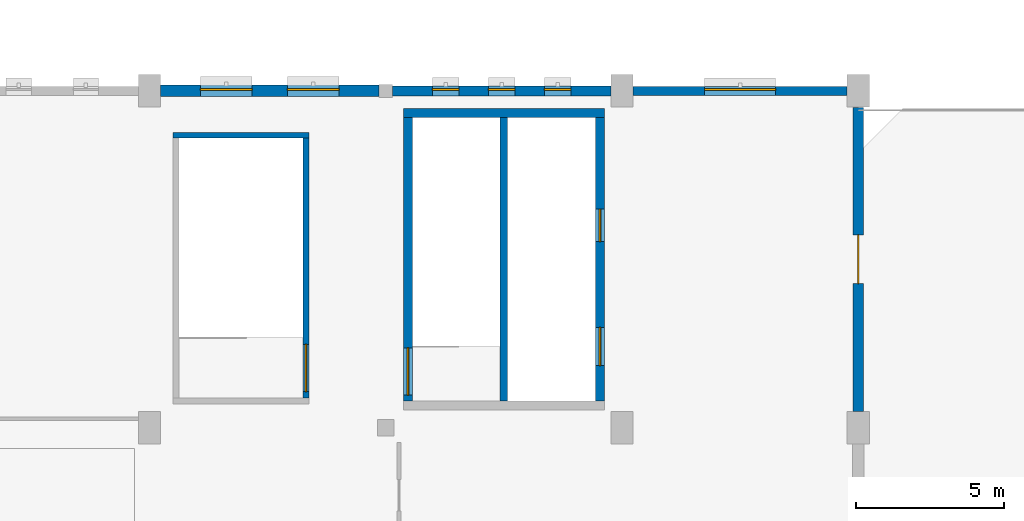
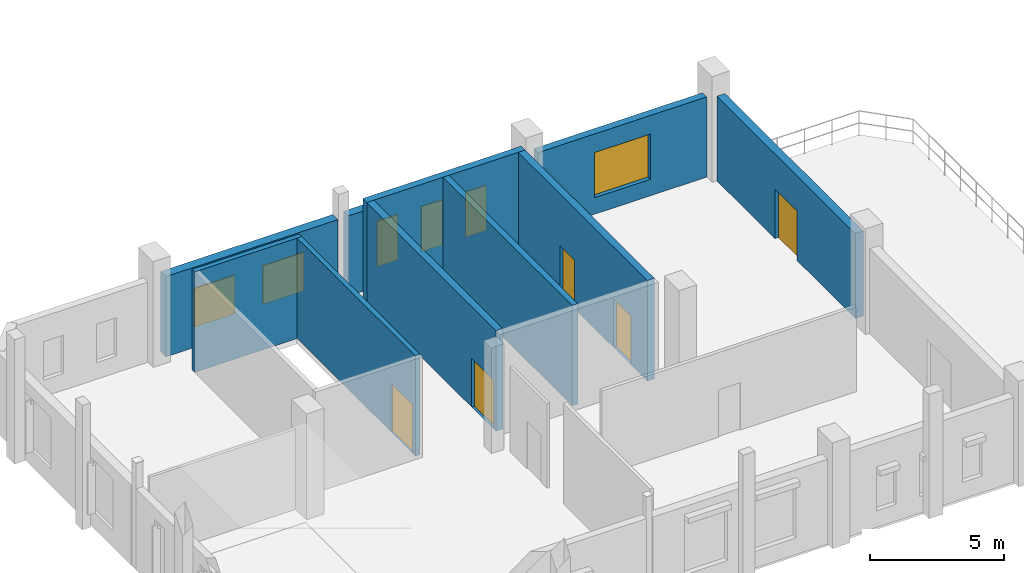
# One storey, part 24 of 28: 10 walls, 6 windows, 5 doors, 11 openings.
"""IFC4 building model written with IfcOpenShell, lengths in metres."""

import ifcopenshell
import ifcopenshell.guid

model = None  # the IFC model being written
_history = None  # IfcOwnerHistory: only IFC2X3 demands one
_inside = {}  # id of a spatial element -> (the spatial element, [elements in it])
_under = {}  # id of a project, library or spatial element -> (it, [spatial elements below it])
_declared = {}  # id of a project -> (the project, [libraries it declares])
_typed = {}  # id of a type object -> (the type object, [elements of that type])
_made_of = {}  # id of a material, layer set ... -> (it, [elements and type objects made of it])


def new_model(schema):
    """Start an empty IFC model of exactly this schema.

    Asked for "IFC4X3", IfcOpenShell would pick the latest addendum, in which some entities
    have other attributes; the version numbers below select the first issue.
    IFC2X3 requires an IfcOwnerHistory on every rooted entity: one is made here for all.
    """
    global model, _history
    if schema == "IFC4X3":
        model = ifcopenshell.file(schema_version=(4, 3, 0, 0))
    else:
        model = ifcopenshell.file(schema=schema)
    _inside.clear()
    _under.clear()
    _declared.clear()
    _typed.clear()
    _made_of.clear()
    _history = None
    if model.schema == "IFC2X3":
        org = make("IfcOrganization", Name="unknown")
        user = make(
            "IfcPersonAndOrganization",
            ThePerson=make("IfcPerson", FamilyName="unknown"),
            TheOrganization=org,
        )
        app = make(
            "IfcApplication",
            ApplicationDeveloper=org,
            Version="unknown",
            ApplicationFullName="unknown",
            ApplicationIdentifier="unknown",
        )
        _history = make(
            "IfcOwnerHistory",
            OwningUser=user,
            OwningApplication=app,
            ChangeAction="ADDED",
            CreationDate=0,
        )
    return model


def make(cls, **values):
    """One entity of the class cls with the attributes given. An attribute that is None is left unset."""
    return model.create_entity(
        cls, **{name: value for name, value in values.items() if value is not None}
    )


def rooted(cls, **values):
    """An entity with a GlobalId (a new one), such as an element, a storey or a relation."""
    return make(cls, GlobalId=ifcopenshell.guid.new(), OwnerHistory=_history, **values)


def si_unit(unit_type, name, prefix=None):
    """IfcSIUnit, for example si_unit("LENGTHUNIT", "METRE", prefix="MILLI")."""
    return make("IfcSIUnit", UnitType=unit_type, Prefix=prefix, Name=name)


def assignment(units):
    """IfcUnitAssignment: the units of a project."""
    return None if units is None else make("IfcUnitAssignment", Units=units)


def point(xyz):
    """IfcCartesianPoint."""
    return None if xyz is None else make("IfcCartesianPoint", Coordinates=xyz)


def direction(xyz):
    """IfcDirection."""
    return None if xyz is None else make("IfcDirection", DirectionRatios=xyz)


def frame(location, z_axis=None, x_axis=None):
    """IfcAxis2Placement3D, a coordinate frame: its origin and axes. An axis left out is left unset."""
    return make(
        "IfcAxis2Placement3D",
        Location=point(location),
        Axis=direction(z_axis),
        RefDirection=direction(x_axis),
    )


def frame_2d(location, x_axis=None):
    """IfcAxis2Placement2D, a coordinate frame in the plane: its origin and x axis."""
    return make(
        "IfcAxis2Placement2D", Location=point(location), RefDirection=direction(x_axis)
    )


def origin():
    """The frame at (0, 0, 0) with its axes left unset."""
    return frame((0.0, 0.0, 0.0))


def place(relative_to, where):
    """IfcLocalPlacement: puts the frame where relative to a parent placement (None: the world)."""
    return make(
        "IfcLocalPlacement", PlacementRelTo=relative_to, RelativePlacement=where
    )


def context(
    kind, dimensions, precision=None, world=None, true_north=None, identifier=None
):
    """IfcGeometricRepresentationContext, for example the 3D "Model" context."""
    return make(
        "IfcGeometricRepresentationContext",
        ContextIdentifier=identifier,
        ContextType=kind,
        CoordinateSpaceDimension=dimensions,
        Precision=precision,
        WorldCoordinateSystem=world,
        TrueNorth=true_north,
    )


def subcontext(parent, identifier, kind, view, scale=None):
    """IfcGeometricRepresentationSubContext, for example "Body" below "Model"."""
    return make(
        "IfcGeometricRepresentationSubContext",
        ContextIdentifier=identifier,
        ContextType=kind,
        ParentContext=parent,
        TargetScale=scale,
        TargetView=view,
    )


def project(units=None, contexts=None):
    """IfcProject with its units and contexts."""
    return rooted(
        "IfcProject",
        Name="project",
        RepresentationContexts=contexts,
        UnitsInContext=assignment(units),
    )


def spatial(cls, under=None, at=None, **own):
    """A site, building, storey or space (cls), placed at a placement, below another one or the project."""
    s = rooted(cls, ObjectPlacement=at, **own)
    if under is not None:
        _under.setdefault(under.id(), (under, []))[1].append(s)
    return s


def profile(cls, at=None, kind="AREA", **sizes):
    """A parametric profile (cls). Its sizes go by their IFC names, for example OverallWidth=200.0."""
    return make(cls, ProfileType=kind, Position=at, **sizes)


def rectangle(**sizes):
    """IfcRectangleProfileDef."""
    return profile("IfcRectangleProfileDef", **sizes)


def extrude(swept, where, along, depth):
    """IfcExtrudedAreaSolid: the profile swept, set in the frame where, extruded along a direction by depth."""
    return make(
        "IfcExtrudedAreaSolid",
        SweptArea=swept,
        Position=where,
        ExtrudedDirection=direction(along),
        Depth=depth,
    )


def shape(context_of_items, identifier, shape_type, items):
    """IfcShapeRepresentation: the items that make up one representation, for example the "Body"."""
    return make(
        "IfcShapeRepresentation",
        ContextOfItems=context_of_items,
        RepresentationIdentifier=identifier,
        RepresentationType=shape_type,
        Items=items,
    )


def material(Name=None, Category=None):
    """IfcMaterial."""
    return make("IfcMaterial", Name=Name, Category=Category)


def layer(
    of_material, thickness, ventilated=None, Name=None, Category=None, Priority=None
):
    """IfcMaterialLayer: one layer of a wall or slab, of a material (None: an air gap)."""
    return make(
        "IfcMaterialLayer",
        Material=of_material,
        LayerThickness=thickness,
        IsVentilated=ventilated,
        Name=Name,
        Category=Category,
        Priority=Priority,
    )


def layer_set(layers, Name=None):
    """IfcMaterialLayerSet."""
    return make("IfcMaterialLayerSet", MaterialLayers=layers, LayerSetName=Name)


def made_of(thing, what):
    """Note that an element or type object is made of a material, layer set ...; save() writes the relation."""
    if what is not None:
        _made_of.setdefault(what.id(), (what, []))[1].append(thing)
    return thing


def type_object(cls, material=None, **own):
    """A type object (cls), such as IfcWallType, which elements share."""
    return made_of(rooted(cls, **own), material)


def element(
    cls,
    number,
    at=None,
    inside=None,
    cuts=None,
    type_object=None,
    material=None,
    context=None,
    identifier="Body",
    shape_type=None,
    held_by="IfcProductDefinitionShape",
    body=None,
    shapes=None,
    **own,
):
    """One element of the class cls, such as IfcWall. Its Tag is "e" and its number.

    at: its placement. inside: the storey or other place that contains it. cuts: it is an
    opening in that element (IfcRelVoidsElement). A single representation is given by context,
    identifier, shape_type and body (its items); several are given by shapes. held_by: the class
    of the entity that holds the representations. save() writes the other relations.
    """
    e = rooted(cls, Tag="e%d" % number, ObjectPlacement=at, **own)
    if body is not None:
        shapes = [shape(context, identifier, shape_type, body)]
    if shapes is not None:
        e.Representation = make(held_by, Representations=shapes)
    if inside is not None:
        _inside.setdefault(inside.id(), (inside, []))[1].append(e)
    if cuts is not None:
        rooted(
            "IfcRelVoidsElement", RelatingBuildingElement=cuts, RelatedOpeningElement=e
        )
    if type_object is not None:
        _typed.setdefault(type_object.id(), (type_object, []))[1].append(e)
    return made_of(e, material)


def fill(opening, filler):
    """IfcRelFillsElement: the door or window that sits in an opening."""
    return rooted(
        "IfcRelFillsElement",
        RelatingOpeningElement=opening,
        RelatedBuildingElement=filler,
    )


def aggregate(whole, parts):
    """IfcRelAggregates: a whole, such as a stair, and the parts it consists of."""
    return rooted("IfcRelAggregates", RelatingObject=whole, RelatedObjects=parts)


def save(model, path):
    """Write the relations noted so far, then the file.

    IfcRelAggregates (storeys below a building ...), IfcRelContainedInSpatialStructure (elements
    in a storey), IfcRelDefinesByType, IfcRelAssociatesMaterial and IfcRelDeclares: one each for
    every whole, place, type object, material and project.
    """
    for whole, parts in _under.values():
        aggregate(whole, parts)
    for where, things in _inside.values():
        rooted(
            "IfcRelContainedInSpatialStructure",
            RelatedElements=things,
            RelatingStructure=where,
        )
    for kind, things in _typed.values():
        rooted("IfcRelDefinesByType", RelatedObjects=things, RelatingType=kind)
    for what, things in _made_of.values():
        rooted("IfcRelAssociatesMaterial", RelatedObjects=things, RelatingMaterial=what)
    for by, libraries in _declared.values():
        rooted("IfcRelDeclares", RelatingContext=by, RelatedDefinitions=libraries)
    model.write(path)


model = new_model("IFC4")

# Units and contexts
model_context = context("Model", 3, precision=1e-05, world=origin(), true_north=direction((0.0, 1.0)))
body_context = subcontext(model_context, "Body", "Model", "MODEL_VIEW")
ifc_project = project(units=[si_unit("LENGTHUNIT", "METRE"), si_unit("AREAUNIT", "SQUARE_METRE"), si_unit("VOLUMEUNIT", "CUBIC_METRE"), si_unit("PLANEANGLEUNIT", "RADIAN"), si_unit("MASSUNIT", "GRAM", prefix="KILO"), si_unit("POWERUNIT", "WATT"), si_unit("THERMODYNAMICTEMPERATUREUNIT", "KELVIN")], contexts=[model_context])

# Site, building, storey
site_placement = place(None, origin())
site = spatial("IfcSite", under=ifc_project, at=site_placement, CompositionType="ELEMENT")
building_placement = place(site_placement, origin())
building = spatial("IfcBuilding", under=site, at=building_placement, Name="Kelmbourne Parkland Aquatics Centre", CompositionType="ELEMENT")
storey_placement = place(building_placement, frame((0.0, 0.0, 19.199951171875)))
storey = spatial("IfcBuildingStorey", under=building, at=storey_placement, Name="L04", CompositionType="ELEMENT", Elevation=19.199951171875)

# Walls
ifc_material_1 = material(Name="Concrete C40/50", Category="concrete")
ifc_layer_1 = layer(ifc_material_1, 0.25)
ifc_layer_set_1 = layer_set([ifc_layer_1], Name="Concrete C40/50")
wall_type_1 = type_object("IfcWallType", Name="W-CORE-250", PredefinedType="SHEAR", material=ifc_layer_set_1)
wall_1_placement = place(storey_placement, frame((20.0, 13.10009765625, 0.0), z_axis=(0.0, 0.0, 1.0), x_axis=(0.0, 1.0, 0.0)))
element("IfcWall", 1, at=wall_1_placement, inside=storey, type_object=wall_type_1, Name="West Wing South Fire-Fighting Core divider wall (L04)", PredefinedType="SHEAR", context=body_context, shape_type="SweptSolid", body=[
    extrude(rectangle(XDim=9.599853515625, YDim=0.25, at=frame_2d((4.7998046875, 0.0))), origin(), (0.0, 0.0, 1.0), 4.56005859375),
])
ifc_layer_2 = layer(ifc_material_1, 0.300048828125)
ifc_layer_set_2 = layer_set([ifc_layer_2], Name="Concrete C40/50")
wall_type_2 = type_object("IfcWallType", Name="W-CORE-300", PredefinedType="SHEAR", material=ifc_layer_set_2)
wall_2_placement = place(storey_placement, frame((16.60009765625, 22.85009765625, 0.0), z_axis=(0.0, 0.0, 1.0), x_axis=(1.0, 0.0, 0.0)))
element("IfcWall", 2, at=wall_2_placement, inside=storey, type_object=wall_type_2, Name="West Wing South Fire-Fighting Core north wall (L04)", PredefinedType="SHEAR", context=body_context, shape_type="SweptSolid", body=[
    extrude(rectangle(XDim=6.7998046875, YDim=0.300048828125, at=frame_2d((3.39990234375, 0.0))), origin(), (0.0, 0.0, 1.0), 4.56005859375),
])

# Wall, opening, door
wall_3_placement = place(storey_placement, frame((16.75, 13.10009765625, 0.0), z_axis=(0.0, 0.0, 1.0), x_axis=(0.0, 1.0, 0.0)))
wall_3 = element("IfcWall", 3, at=wall_3_placement, inside=storey, type_object=wall_type_2, Name="West Wing South Fire-Fighting Core west wall (L04)", PredefinedType="SHEAR", context=body_context, shape_type="SweptSolid", body=[
    extrude(rectangle(XDim=9.599853515625, YDim=0.300048828125, at=frame_2d((4.7998046875, 0.0))), origin(), (0.0, 0.0, 1.0), 4.56005859375),
])
opening_1_placement = place(wall_3_placement, frame((0.199951171875, 0.0, 0.0)))
opening_1 = element("IfcOpeningElement", 4, at=opening_1_placement, cuts=wall_3, Name="Opening FD02", PredefinedType="OPENING", context=body_context, shape_type="SweptSolid", body=[
    extrude(rectangle(XDim=1.60009765625, YDim=2.199951171875, at=frame_2d((0.800048828125, 1.10009765625))), frame((0.0, 0.162109375, 0.0), z_axis=(0.0, -1.0, 0.0), x_axis=(1.0, 0.0, 0.0)), (0.0, 0.0, 1.0), 0.323974609375),
])
ifc_material_2 = material(Name="Marine-grade stainless steel and fire-rated hardwood doorset", Category="steel")
ifc_layer_3 = layer(ifc_material_2, 0.050048828125)
ifc_layer_set_3 = layer_set([ifc_layer_3], Name="Marine-grade stainless steel and fire-rated hardwood doorset")
door_type_1 = type_object("IfcDoorType", Name="DR-FD-160", OperationType="NOTDEFINED", PredefinedType="DOOR", material=ifc_layer_set_3)
door_1_placement = place(opening_1_placement, origin())
door_1 = element("IfcDoor", 5, at=door_1_placement, inside=storey, type_object=door_type_1, Name="Fire stair door ST01 (L04)", OperationType="DOUBLE_DOOR_SINGLE_SWING", OverallHeight=2.199951171875, OverallWidth=1.60009765625, PredefinedType="DOOR", context=body_context, shape_type="SweptSolid", body=[
    extrude(rectangle(XDim=1.60009765625, YDim=2.199951171875, at=frame_2d((0.800048828125, 1.10009765625))), frame((0.0, 0.02490234375, 0.0), z_axis=(0.0, -1.0, 0.0), x_axis=(1.0, 0.0, 0.0)), (0.0, 0.0, 1.0), 0.050048828125),
])
fill(opening_1, door_1)

# Wall, openings, doors
wall_4_placement = place(storey_placement, frame((23.25, 13.10009765625, 0.0), z_axis=(0.0, 0.0, 1.0), x_axis=(0.0, 1.0, 0.0)))
wall_4 = element("IfcWall", 6, at=wall_4_placement, inside=storey, type_object=wall_type_2, Name="West Wing South Fire-Fighting Core east wall (L04)", PredefinedType="SHEAR", context=body_context, shape_type="SweptSolid", body=[
    extrude(rectangle(XDim=9.599853515625, YDim=0.300048828125, at=frame_2d((4.7998046875, 0.0))), origin(), (0.0, 0.0, 1.0), 4.56005859375),
])
opening_2_placement = place(wall_4_placement, frame((1.199951171875, 0.0, 0.0)))
opening_2 = element("IfcOpeningElement", 7, at=opening_2_placement, cuts=wall_4, Name="Opening LD02", PredefinedType="OPENING", context=body_context, shape_type="SweptSolid", body=[
    extrude(rectangle(XDim=1.300048828125, YDim=2.199951171875, at=frame_2d((0.64990234375, 1.10009765625))), frame((0.0, 0.162109375, 0.0), z_axis=(0.0, -1.0, 0.0), x_axis=(1.0, 0.0, 0.0)), (0.0, 0.0, 1.0), 0.323974609375),
])
opening_3_placement = place(wall_4_placement, frame((5.39990234375, 0.0, 0.0)))
opening_3 = element("IfcOpeningElement", 8, at=opening_3_placement, cuts=wall_4, Name="Opening LD01", PredefinedType="OPENING", context=body_context, shape_type="SweptSolid", body=[
    extrude(rectangle(XDim=1.10009765625, YDim=2.199951171875, at=frame_2d((0.550048828125, 1.10009765625))), frame((0.0, 0.162109375, 0.0), z_axis=(0.0, -1.0, 0.0), x_axis=(1.0, 0.0, 0.0)), (0.0, 0.0, 1.0), 0.323974609375),
])
ifc_layer_4 = layer(ifc_material_2, 0.050048828125)
ifc_layer_set_4 = layer_set([ifc_layer_4], Name="Marine-grade stainless steel and fire-rated hardwood doorset")
door_type_2 = type_object("IfcDoorType", Name="DR-LD-110", OperationType="NOTDEFINED", PredefinedType="DOOR", material=ifc_layer_set_4)
door_2_placement = place(opening_3_placement, origin())
door_2 = element("IfcDoor", 9, at=door_2_placement, inside=storey, type_object=door_type_2, Name="Lift landing sliding door LF02 (L04)", OperationType="SLIDING_TO_RIGHT", OverallHeight=2.199951171875, OverallWidth=1.10009765625, PredefinedType="DOOR", context=body_context, shape_type="SweptSolid", body=[
    extrude(rectangle(XDim=1.10009765625, YDim=2.199951171875, at=frame_2d((0.550048828125, 1.10009765625))), frame((0.0, 0.02490234375, 0.0), z_axis=(0.0, -1.0, 0.0), x_axis=(1.0, 0.0, 0.0)), (0.0, 0.0, 1.0), 0.050048828125),
])
fill(opening_3, door_2)
ifc_layer_5 = layer(ifc_material_2, 0.050048828125)
ifc_layer_set_5 = layer_set([ifc_layer_5], Name="Marine-grade stainless steel and fire-rated hardwood doorset")
door_type_3 = type_object("IfcDoorType", Name="DR-LD-130", OperationType="NOTDEFINED", PredefinedType="DOOR", material=ifc_layer_set_5)
door_3_placement = place(opening_2_placement, origin())
door_3 = element("IfcDoor", 10, at=door_3_placement, inside=storey, type_object=door_type_3, Name="Lift landing sliding door LF01 (L04)", OperationType="SLIDING_TO_LEFT", OverallHeight=2.199951171875, OverallWidth=1.300048828125, PredefinedType="DOOR", context=body_context, shape_type="SweptSolid", body=[
    extrude(rectangle(XDim=1.300048828125, YDim=2.199951171875, at=frame_2d((0.64990234375, 1.10009765625))), frame((0.0, 0.02490234375, 0.0), z_axis=(0.0, -1.0, 0.0), x_axis=(1.0, 0.0, 0.0)), (0.0, 0.0, 1.0), 0.050048828125),
])
fill(opening_2, door_3)

# Wall, opening, window
ifc_material_3 = material(Name="Russet clinker clay brickwork", Category="masonry")
ifc_layer_6 = layer(ifc_material_3, 0.31005859375)
ifc_layer_set_6 = layer_set([ifc_layer_6], Name="Russet clinker clay brickwork")
wall_type_3 = type_object("IfcWallType", Name="W-EXT-310", PredefinedType="STANDARD", material=ifc_layer_set_6)
wall_5_placement = place(storey_placement, frame((24.376953125, 23.60009765625, 0.0), z_axis=(0.0, 0.0, 1.0), x_axis=(1.0, 0.0, 0.0)))
wall_5 = element("IfcWall", 11, at=wall_5_placement, inside=storey, type_object=wall_type_3, Name="Exterior polychrome brick wall EW-L04-146", PredefinedType="STANDARD", context=body_context, shape_type="SweptSolid", body=[
    extrude(rectangle(XDim=7.24609375, YDim=0.31005859375, at=frame_2d((3.623046875, 0.0))), origin(), (0.0, 0.0, 1.0), 3.64501953125),
])
opening_4_placement = place(wall_5_placement, frame((2.423095703125, 0.0, 0.75)))
opening_4 = element("IfcOpeningElement", 12, at=opening_4_placement, cuts=wall_5, Name="Opening W11", PredefinedType="OPENING", context=body_context, shape_type="SweptSolid", body=[
    extrude(rectangle(XDim=2.39990234375, YDim=2.050048828125, at=frame_2d((1.199951171875, 1.02490234375))), frame((0.0, 0.1669921875, 0.0), z_axis=(0.0, -1.0, 0.0), x_axis=(1.0, 0.0, 0.0)), (0.0, 0.0, 1.0), 0.333984375),
])
ifc_material_4 = material(Name="Thermally broken anodised aluminium window with low-e glass", Category="aluminium")
ifc_layer_7 = layer(ifc_material_4, 0.090087890625)
ifc_layer_set_7 = layer_set([ifc_layer_7], Name="Thermally broken anodised aluminium window with low-e glass")
window_type_1 = type_object("IfcWindowType", Name="WN-11", PartitioningType="TRIPLE_PANEL_VERTICAL", PredefinedType="WINDOW", material=ifc_layer_set_7)
window_1_placement = place(opening_4_placement, origin())
window_1 = element("IfcWindow", 13, at=window_1_placement, inside=storey, type_object=window_type_1, Name="Deep-reveal masonry window W11", OverallHeight=2.050048828125, OverallWidth=2.39990234375, PartitioningType="TRIPLE_PANEL_VERTICAL", PredefinedType="WINDOW", context=body_context, shape_type="SweptSolid", body=[
    extrude(rectangle(XDim=2.39990234375, YDim=2.050048828125, at=frame_2d((1.199951171875, 1.02490234375))), frame((0.0, 0.080078125, 0.0), z_axis=(0.0, -1.0, 0.0), x_axis=(1.0, 0.0, 0.0)), (0.0, 0.0, 1.0), 0.06005859375),
])
fill(opening_4, window_1)

# Wall, openings, windows
ifc_material_5 = material(Name="Polychrome glazed brick header coursework", Category="masonry")
ifc_layer_8 = layer(ifc_material_5, 0.35009765625)
ifc_layer_set_8 = layer_set([ifc_layer_8], Name="Polychrome glazed brick header coursework")
wall_type_4 = type_object("IfcWallType", Name="W-EXT-350", PredefinedType="STANDARD", material=ifc_layer_set_8)
wall_6_placement = place(storey_placement, frame((16.22705078125, 23.60009765625, 0.0), z_axis=(0.0, 0.0, 1.0), x_axis=(1.0, 0.0, 0.0)))
wall_6 = element("IfcWall", 14, at=wall_6_placement, inside=storey, type_object=wall_type_4, Name="Exterior polychrome brick wall EW-L04-145", PredefinedType="STANDARD", context=body_context, shape_type="SweptSolid", body=[
    extrude(rectangle(XDim=7.39599609375, YDim=0.35009765625, at=frame_2d((3.697998046875, 0.0))), origin(), (0.0, 0.0, 1.0), 3.64501953125),
])
opening_5_placement = place(wall_6_placement, frame((1.35009765625, 0.0, 0.75)))
opening_5 = element("IfcOpeningElement", 15, at=opening_5_placement, cuts=wall_6, Name="Opening W07", PredefinedType="OPENING", context=body_context, shape_type="SweptSolid", body=[
    extrude(rectangle(XDim=0.89990234375, YDim=2.050048828125, at=frame_2d((0.449951171875, 1.02490234375))), frame((0.0, 0.18701171875, 0.0), z_axis=(0.0, -1.0, 0.0), x_axis=(1.0, 0.0, 0.0)), (0.0, 0.0, 1.0), 0.3740234375),
])
opening_6_placement = place(wall_6_placement, frame((3.248046875, 0.0, 0.75)))
opening_6 = element("IfcOpeningElement", 16, at=opening_6_placement, cuts=wall_6, Name="Opening W07", PredefinedType="OPENING", context=body_context, shape_type="SweptSolid", body=[
    extrude(rectangle(XDim=0.89990234375, YDim=2.050048828125, at=frame_2d((0.449951171875, 1.02490234375))), frame((0.0, 0.18701171875, 0.0), z_axis=(0.0, -1.0, 0.0), x_axis=(1.0, 0.0, 0.0)), (0.0, 0.0, 1.0), 0.3740234375),
])
opening_7_placement = place(wall_6_placement, frame((5.14599609375, 0.0, 0.75)))
opening_7 = element("IfcOpeningElement", 17, at=opening_7_placement, cuts=wall_6, Name="Opening W07", PredefinedType="OPENING", context=body_context, shape_type="SweptSolid", body=[
    extrude(rectangle(XDim=0.89990234375, YDim=2.050048828125, at=frame_2d((0.449951171875, 1.02490234375))), frame((0.0, 0.18701171875, 0.0), z_axis=(0.0, -1.0, 0.0), x_axis=(1.0, 0.0, 0.0)), (0.0, 0.0, 1.0), 0.3740234375),
])
ifc_layer_9 = layer(ifc_material_4, 0.090087890625)
ifc_layer_set_9 = layer_set([ifc_layer_9], Name="Thermally broken anodised aluminium window with low-e glass")
window_type_2 = type_object("IfcWindowType", Name="WN-07", PartitioningType="SINGLE_PANEL", PredefinedType="WINDOW", material=ifc_layer_set_9)
window_2_placement = place(opening_5_placement, origin())
window_2 = element("IfcWindow", 18, at=window_2_placement, inside=storey, type_object=window_type_2, Name="Deep-reveal masonry window W07", OverallHeight=2.050048828125, OverallWidth=0.89990234375, PartitioningType="SINGLE_PANEL", PredefinedType="WINDOW", context=body_context, shape_type="SweptSolid", body=[
    extrude(rectangle(XDim=0.89990234375, YDim=2.050048828125, at=frame_2d((0.449951171875, 1.02490234375))), frame((0.0, 0.080078125, 0.0), z_axis=(0.0, -1.0, 0.0), x_axis=(1.0, 0.0, 0.0)), (0.0, 0.0, 1.0), 0.06005859375),
])
fill(opening_5, window_2)
window_3_placement = place(opening_6_placement, origin())
window_3 = element("IfcWindow", 19, at=window_3_placement, inside=storey, type_object=window_type_2, Name="Deep-reveal masonry window W07", OverallHeight=2.050048828125, OverallWidth=0.89990234375, PartitioningType="SINGLE_PANEL", PredefinedType="WINDOW", context=body_context, shape_type="SweptSolid", body=[
    extrude(rectangle(XDim=0.89990234375, YDim=2.050048828125, at=frame_2d((0.449951171875, 1.02490234375))), frame((0.0, 0.080078125, 0.0), z_axis=(0.0, -1.0, 0.0), x_axis=(1.0, 0.0, 0.0)), (0.0, 0.0, 1.0), 0.06005859375),
])
fill(opening_6, window_3)
window_4_placement = place(opening_7_placement, origin())
window_4 = element("IfcWindow", 20, at=window_4_placement, inside=storey, type_object=window_type_2, Name="Deep-reveal masonry window W07", OverallHeight=2.050048828125, OverallWidth=0.89990234375, PartitioningType="SINGLE_PANEL", PredefinedType="WINDOW", context=body_context, shape_type="SweptSolid", body=[
    extrude(rectangle(XDim=0.89990234375, YDim=2.050048828125, at=frame_2d((0.449951171875, 1.02490234375))), frame((0.0, 0.080078125, 0.0), z_axis=(0.0, -1.0, 0.0), x_axis=(1.0, 0.0, 0.0)), (0.0, 0.0, 1.0), 0.06005859375),
])
fill(opening_7, window_4)

# Wall, opening, door
wall_7_placement = place(storey_placement, frame((32.0, 12.751953125, 0.0), z_axis=(0.0, 0.0, 1.0), x_axis=(0.0, 1.0, 0.0)))
wall_7 = element("IfcWall", 21, at=wall_7_placement, inside=storey, type_object=wall_type_4, Name="Exterior polychrome brick wall EW-L04-148", PredefinedType="STANDARD", context=body_context, shape_type="SweptSolid", body=[
    extrude(rectangle(XDim=10.296142578125, YDim=0.35009765625, at=frame_2d((5.14794921875, 0.0))), origin(), (0.0, 0.0, 1.0), 3.844970703125),
])
opening_8_placement = place(wall_7_placement, frame((4.322998046875, 0.0, 0.0)))
opening_8 = element("IfcOpeningElement", 22, at=opening_8_placement, cuts=wall_7, Name="Opening TRD2", PredefinedType="OPENING", context=body_context, shape_type="SweptSolid", body=[
    extrude(rectangle(XDim=1.64990234375, YDim=2.25, at=frame_2d((0.824951171875, 1.125))), frame((0.0, 0.18701171875, 0.0), z_axis=(0.0, -1.0, 0.0), x_axis=(1.0, 0.0, 0.0)), (0.0, 0.0, 1.0), 0.3740234375),
])
ifc_material_6 = material(Name="Thermally broken anodised aluminium commercial door", Category="aluminium")
ifc_layer_10 = layer(ifc_material_6, 0.06005859375)
ifc_layer_set_10 = layer_set([ifc_layer_10], Name="Thermally broken anodised aluminium commercial door")
door_type_4 = type_object("IfcDoorType", Name="DR-TER-165", OperationType="NOTDEFINED", PredefinedType="DOOR", material=ifc_layer_set_10)
door_4_placement = place(opening_8_placement, frame((1.64990234375, 0.0, 0.0), z_axis=(0.0, 0.0, 1.0), x_axis=(-1.0, 0.0, 0.0)))
door_4 = element("IfcDoor", 23, at=door_4_placement, inside=storey, type_object=door_type_4, Name="Walkable terrace access door EW-L04-148", OperationType="DOUBLE_DOOR_SINGLE_SWING", OverallHeight=2.25, OverallWidth=1.64990234375, PredefinedType="DOOR", context=body_context, shape_type="SweptSolid", body=[
    extrude(rectangle(XDim=1.64990234375, YDim=2.25, at=frame_2d((0.824951171875, 1.125))), frame((0.0, 0.02490234375, 0.0), z_axis=(0.0, -1.0, 0.0), x_axis=(1.0, 0.0, 0.0)), (0.0, 0.0, 1.0), 0.050048828125),
])
fill(opening_8, door_4)

# Wall, openings, windows
ifc_layer_11 = layer(ifc_material_3, 0.389892578125)
ifc_layer_set_11 = layer_set([ifc_layer_11], Name="Russet clinker clay brickwork")
wall_type_5 = type_object("IfcWallType", Name="W-EXT-390", PredefinedType="STANDARD", material=ifc_layer_set_11)
wall_8_placement = place(storey_placement, frame((8.376953125, 23.60009765625, 0.0), z_axis=(0.0, 0.0, 1.0), x_axis=(1.0, 0.0, 0.0)))
wall_8 = element("IfcWall", 24, at=wall_8_placement, inside=storey, type_object=wall_type_5, Name="Exterior polychrome brick wall EW-L04-144", PredefinedType="STANDARD", context=body_context, shape_type="SweptSolid", body=[
    extrude(rectangle(XDim=7.39599609375, YDim=0.389892578125, at=frame_2d((3.697998046875, 0.0))), origin(), (0.0, 0.0, 1.0), 3.64501953125),
])
opening_9_placement = place(wall_8_placement, frame((1.35009765625, 0.0, 0.75)))
opening_9 = element("IfcOpeningElement", 25, at=opening_9_placement, cuts=wall_8, Name="Opening W04", PredefinedType="OPENING", context=body_context, shape_type="SweptSolid", body=[
    extrude(rectangle(XDim=1.75, YDim=1.75, at=frame_2d((0.875, 0.875))), frame((0.0, 0.20703125, 0.0), z_axis=(0.0, -1.0, 0.0), x_axis=(1.0, 0.0, 0.0)), (0.0, 0.0, 1.0), 0.413818359375),
])
opening_10_placement = place(wall_8_placement, frame((4.2958984375, 0.0, 0.75)))
opening_10 = element("IfcOpeningElement", 26, at=opening_10_placement, cuts=wall_8, Name="Opening W04", PredefinedType="OPENING", context=body_context, shape_type="SweptSolid", body=[
    extrude(rectangle(XDim=1.75, YDim=1.75, at=frame_2d((0.875, 0.875))), frame((0.0, 0.20703125, 0.0), z_axis=(0.0, -1.0, 0.0), x_axis=(1.0, 0.0, 0.0)), (0.0, 0.0, 1.0), 0.413818359375),
])
ifc_layer_12 = layer(ifc_material_4, 0.090087890625)
ifc_layer_set_12 = layer_set([ifc_layer_12], Name="Thermally broken anodised aluminium window with low-e glass")
window_type_3 = type_object("IfcWindowType", Name="WN-04", PartitioningType="DOUBLE_PANEL_VERTICAL", PredefinedType="WINDOW", material=ifc_layer_set_12)
window_5_placement = place(opening_9_placement, origin())
window_5 = element("IfcWindow", 27, at=window_5_placement, inside=storey, type_object=window_type_3, Name="Deep-reveal masonry window W04", OverallHeight=1.75, OverallWidth=1.75, PartitioningType="DOUBLE_PANEL_VERTICAL", PredefinedType="WINDOW", context=body_context, shape_type="SweptSolid", body=[
    extrude(rectangle(XDim=1.75, YDim=1.75, at=frame_2d((0.875, 0.875))), frame((0.0, 0.080078125, 0.0), z_axis=(0.0, -1.0, 0.0), x_axis=(1.0, 0.0, 0.0)), (0.0, 0.0, 1.0), 0.06005859375),
])
fill(opening_9, window_5)
window_6_placement = place(opening_10_placement, origin())
window_6 = element("IfcWindow", 28, at=window_6_placement, inside=storey, type_object=window_type_3, Name="Deep-reveal masonry window W04", OverallHeight=1.75, OverallWidth=1.75, PartitioningType="DOUBLE_PANEL_VERTICAL", PredefinedType="WINDOW", context=body_context, shape_type="SweptSolid", body=[
    extrude(rectangle(XDim=1.75, YDim=1.75, at=frame_2d((0.875, 0.875))), frame((0.0, 0.080078125, 0.0), z_axis=(0.0, -1.0, 0.0), x_axis=(1.0, 0.0, 0.0)), (0.0, 0.0, 1.0), 0.06005859375),
])
fill(opening_10, window_6)

# Wall
ifc_material_7 = material(Name="Concrete blockwork C32/40", Category="masonry")
ifc_layer_13 = layer(ifc_material_7, 0.199951171875)
ifc_layer_set_13 = layer_set([ifc_layer_13], Name="Concrete blockwork C32/40")
wall_type_6 = type_object("IfcWallType", Name="W-FIRE-200", PredefinedType="SOLIDWALL", material=ifc_layer_set_13)
wall_9_placement = place(storey_placement, frame((8.800048828125, 22.10009765625, 0.0), z_axis=(0.0, 0.0, 1.0), x_axis=(1.0, 0.0, 0.0)))
element("IfcWall", 29, at=wall_9_placement, inside=storey, type_object=wall_type_6, Name="West South Perimeter Exit Stair north enclosure (L04)", PredefinedType="SOLIDWALL", context=body_context, shape_type="SweptSolid", body=[
    extrude(rectangle(XDim=4.599853515625, YDim=0.199951171875, at=frame_2d((2.2998046875, 0.0))), origin(), (0.0, 0.0, 1.0), 4.56005859375),
])

# Wall, opening, door
wall_10_placement = place(storey_placement, frame((13.300048828125, 13.199951171875, 0.0), z_axis=(0.0, 0.0, 1.0), x_axis=(0.0, 1.0, 0.0)))
wall_10 = element("IfcWall", 30, at=wall_10_placement, inside=storey, type_object=wall_type_6, Name="West South Perimeter Exit Stair east enclosure (L04)", PredefinedType="SOLIDWALL", context=body_context, shape_type="SweptSolid", body=[
    extrude(rectangle(XDim=8.800048828125, YDim=0.199951171875, at=frame_2d((4.39990234375, 0.0))), origin(), (0.0, 0.0, 1.0), 4.56005859375),
])
opening_11_placement = place(wall_10_placement, frame((0.219970703125, 0.0, 0.0)))
opening_11 = element("IfcOpeningElement", 31, at=opening_11_placement, cuts=wall_10, Name="Opening FD02", PredefinedType="OPENING", context=body_context, shape_type="SweptSolid", body=[
    extrude(rectangle(XDim=1.60009765625, YDim=2.199951171875, at=frame_2d((0.800048828125, 1.10009765625))), frame((0.0, 0.11181640625, 0.0), z_axis=(0.0, -1.0, 0.0), x_axis=(1.0, 0.0, 0.0)), (0.0, 0.0, 1.0), 0.223876953125),
])
door_5_placement = place(opening_11_placement, frame((1.60009765625, 0.0, 0.0), z_axis=(0.0, 0.0, 1.0), x_axis=(-1.0, 0.0, 0.0)))
door_5 = element("IfcDoor", 32, at=door_5_placement, inside=storey, type_object=door_type_1, Name="Exit stair fire door ST06 (L04)", OperationType="DOUBLE_DOOR_SINGLE_SWING", OverallHeight=2.199951171875, OverallWidth=1.60009765625, PredefinedType="DOOR", context=body_context, shape_type="SweptSolid", body=[
    extrude(rectangle(XDim=1.60009765625, YDim=2.199951171875, at=frame_2d((0.800048828125, 1.10009765625))), frame((0.0, 0.02490234375, 0.0), z_axis=(0.0, -1.0, 0.0), x_axis=(1.0, 0.0, 0.0)), (0.0, 0.0, 1.0), 0.050048828125),
])
fill(opening_11, door_5)

save(model, "model.ifc")
